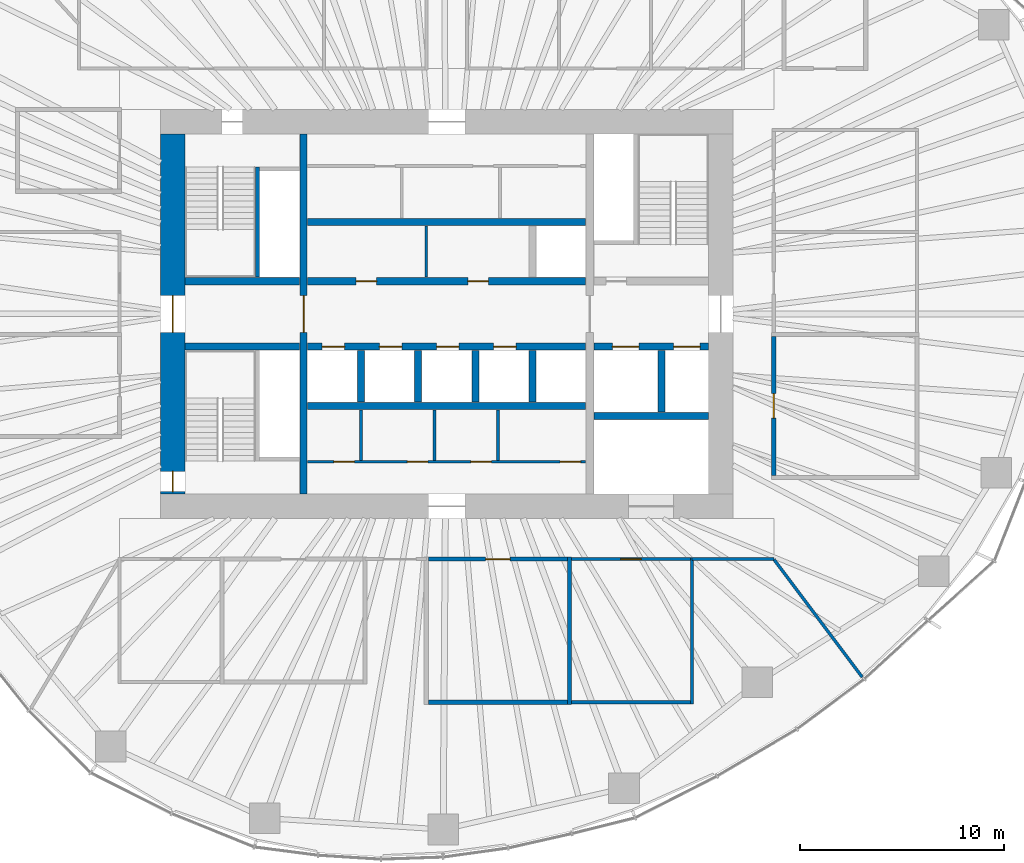
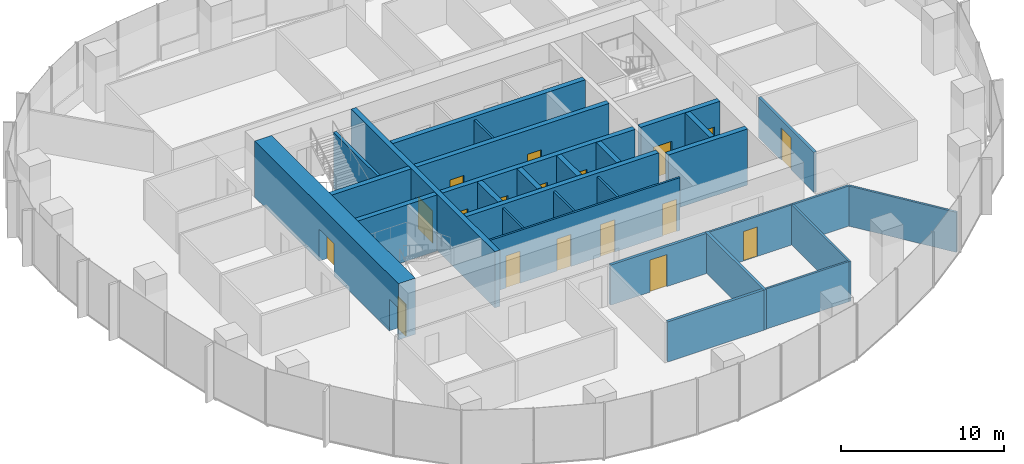
# One storey, part 9 of 18: 30 walls, 18 doors, 18 openings.
"""IFC4 building model written with IfcOpenShell, lengths in metres."""

from ifc_helpers import new_model, si_unit, direction, frame, frame_2d, origin, place, context, subcontext, project, spatial, rectangle, extrude, material, layer, layer_set, type_object, element, fill, save


model = new_model("IFC4")

# Units and contexts
model_context = context("Model", 3, precision=1e-05, world=origin(), true_north=direction((0.0, 1.0)))
body_context = subcontext(model_context, "Body", "Model", "MODEL_VIEW")
ifc_project = project(units=[si_unit("LENGTHUNIT", "METRE"), si_unit("AREAUNIT", "SQUARE_METRE"), si_unit("VOLUMEUNIT", "CUBIC_METRE"), si_unit("PLANEANGLEUNIT", "RADIAN"), si_unit("MASSUNIT", "GRAM", prefix="KILO")], contexts=[model_context])

# Site, building, storey
site_placement = place(None, origin())
site = spatial("IfcSite", under=ifc_project, at=site_placement, CompositionType="ELEMENT")
building_placement = place(site_placement, origin())
building = spatial("IfcBuilding", under=site, at=building_placement, Name="Ghaith Harvest Tower", CompositionType="ELEMENT")
storey_placement = place(building_placement, frame((0.0, 0.0, 121.800048828125)))
storey = spatial("IfcBuildingStorey", under=building, at=storey_placement, Name="L25", CompositionType="ELEMENT", Elevation=121.800048828125)

# Wall
ifc_material_1 = material(Name="Twin-stud gypsum board, acoustic", Category="gypsum")
ifc_layer_1 = layer(ifc_material_1, 0.199951171875)
ifc_layer_set_1 = layer_set([ifc_layer_1], Name="ACOUSTIC PARTITION 200")
wall_type_1 = type_object("IfcWallType", Name="ACOUSTIC PARTITION 200", PredefinedType="PARTITIONING", material=ifc_layer_set_1)
wall_1_placement = place(storey_placement, frame((6.0, -11.89990234375, 0.0), z_axis=(0.0, 0.0, 1.0), x_axis=(0.0, -1.0, 0.0)))
element("IfcWall", 1, at=wall_1_placement, inside=storey, type_object=wall_type_1, Name="Partition L25 row S4 cross wall 2", PredefinedType="PARTITIONING", context=body_context, shape_type="SweptSolid", body=[
    extrude(rectangle(XDim=7.2001953125, YDim=0.199951171875, at=frame_2d((3.60009765625, 0.0))), origin(), (0.0, 0.0, 1.0), 3.0),
])

# Wall, opening, door
wall_2_placement = place(storey_placement, frame((-0.89990234375, -12.0, 0.0), z_axis=(0.0, 0.0, 1.0), x_axis=(1.0, 0.0, 0.0)))
wall_2 = element("IfcWall", 2, at=wall_2_placement, inside=storey, type_object=wall_type_1, Name="Partition L25-08", PredefinedType="PARTITIONING", context=body_context, shape_type="SweptSolid", body=[
    extrude(rectangle(XDim=6.7998046875, YDim=0.199951171875, at=frame_2d((3.39990234375, 0.0))), origin(), (0.0, 0.0, 1.0), 3.0),
])
opening_1_placement = place(wall_2_placement, frame((2.800048828125, 0.0, 0.0)))
opening_1 = element("IfcOpeningElement", 3, at=opening_1_placement, cuts=wall_2, Name="Opening 25-033", PredefinedType="OPENING", context=body_context, shape_type="SweptSolid", body=[
    extrude(rectangle(XDim=1.199951171875, YDim=2.39990234375, at=frame_2d((0.60009765625, 1.199951171875))), frame((0.0, 0.10986328125, 0.0), z_axis=(0.0, -1.0, 0.0), x_axis=(1.0, 0.0, 0.0)), (0.0, 0.0, 1.0), 0.219970703125),
])
ifc_material_2 = material(Name="Timber door", Category="wood")
door_type_1 = type_object("IfcDoorType", Name="D11 GLAZED 1200x2400", OperationType="SINGLE_SWING_LEFT", PredefinedType="DOOR", material=ifc_material_2)
door_1_placement = place(opening_1_placement, origin())
door_1 = element("IfcDoor", 4, at=door_1_placement, inside=storey, type_object=door_type_1, Name="Meeting room door", OperationType="SINGLE_SWING_LEFT", OverallHeight=2.39990234375, OverallWidth=1.199951171875, PredefinedType="DOOR", context=body_context, shape_type="SweptSolid", body=[
    extrude(rectangle(XDim=1.199951171875, YDim=2.39990234375, at=frame_2d((0.60009765625, 1.199951171875))), frame((0.0, 0.02490234375, 0.0), z_axis=(0.0, -1.0, 0.0), x_axis=(1.0, 0.0, 0.0)), (0.0, 0.0, 1.0), 0.050048828125),
])
fill(opening_1, door_1)

# Wall
wall_3_placement = place(storey_placement, frame((-0.89990234375, -19.0, 0.0), z_axis=(0.0, 0.0, 1.0), x_axis=(1.0, 0.0, 0.0)))
element("IfcWall", 5, at=wall_3_placement, inside=storey, type_object=wall_type_1, Name="Partition L25-08", PredefinedType="PARTITIONING", context=body_context, shape_type="SweptSolid", body=[
    extrude(rectangle(XDim=6.7998046875, YDim=0.199951171875, at=frame_2d((3.39990234375, 0.0))), origin(), (0.0, 0.0, 1.0), 3.0),
])

# Wall, opening, door
wall_4_placement = place(storey_placement, frame((16.0, -7.89990234375, 0.0), z_axis=(0.0, 0.0, 1.0), x_axis=(0.0, 1.0, 0.0)))
wall_4 = element("IfcWall", 6, at=wall_4_placement, inside=storey, type_object=wall_type_1, Name="Partition L25-10", PredefinedType="PARTITIONING", context=body_context, shape_type="SweptSolid", body=[
    extrude(rectangle(XDim=6.7998046875, YDim=0.199951171875, at=frame_2d((3.39990234375, 0.0))), origin(), (0.0, 0.0, 1.0), 3.0),
])
opening_2_placement = place(wall_4_placement, frame((2.800048828125, 0.0, 0.0)))
opening_2 = element("IfcOpeningElement", 7, at=opening_2_placement, cuts=wall_4, Name="Opening 25-035", PredefinedType="OPENING", context=body_context, shape_type="SweptSolid", body=[
    extrude(rectangle(XDim=1.199951171875, YDim=2.39990234375, at=frame_2d((0.60009765625, 1.199951171875))), frame((0.0, 0.10986328125, 0.0), z_axis=(0.0, -1.0, 0.0), x_axis=(1.0, 0.0, 0.0)), (0.0, 0.0, 1.0), 0.219970703125),
])
door_2_placement = place(opening_2_placement, origin())
door_2 = element("IfcDoor", 8, at=door_2_placement, inside=storey, type_object=door_type_1, Name="Meeting room door", OperationType="SINGLE_SWING_LEFT", OverallHeight=2.39990234375, OverallWidth=1.199951171875, PredefinedType="DOOR", context=body_context, shape_type="SweptSolid", body=[
    extrude(rectangle(XDim=1.199951171875, YDim=2.39990234375, at=frame_2d((0.60009765625, 1.199951171875))), frame((0.0, 0.02490234375, 0.0), z_axis=(0.0, -1.0, 0.0), x_axis=(1.0, 0.0, 0.0)), (0.0, 0.0, 1.0), 0.050048828125),
])
fill(opening_2, door_2)

# Wall, openings, doors
ifc_material_3 = material(Name="Concrete blockwork, fair-faced", Category="masonry")
ifc_layer_2 = layer(ifc_material_3, 0.139892578125)
ifc_layer_set_2 = layer_set([ifc_layer_2], Name="CORE PARTITION 140")
wall_type_2 = type_object("IfcWallType", Name="CORE PARTITION 140", PredefinedType="PARTITIONING", material=ifc_layer_set_2)
wall_5_placement = place(storey_placement, frame((-6.800048828125, -7.22998046875, 0.0), z_axis=(0.0, 0.0, 1.0), x_axis=(1.0, 0.0, 0.0)))
wall_5 = element("IfcWall", 9, at=wall_5_placement, inside=storey, type_object=wall_type_2, Name="Core partition L25", PredefinedType="PARTITIONING", context=body_context, shape_type="SweptSolid", body=[
    extrude(rectangle(XDim=13.60009765625, YDim=0.139892578125, at=frame_2d((6.800048828125, 0.0))), origin(), (0.0, 0.0, 1.0), 3.949951171875),
])
opening_3_placement = place(wall_5_placement, frame((1.280029296875, 0.0, 0.0)))
opening_3 = element("IfcOpeningElement", 10, at=opening_3_placement, cuts=wall_5, Name="Opening 25-011", PredefinedType="OPENING", context=body_context, shape_type="SweptSolid", body=[
    extrude(rectangle(XDim=1.0, YDim=2.39990234375, at=frame_2d((0.5, 1.199951171875))), frame((0.0, 0.080078125, 0.0), z_axis=(0.0, -1.0, 0.0), x_axis=(1.0, 0.0, 0.0)), (0.0, 0.0, 1.0), 0.159912109375),
])
opening_4_placement = place(wall_5_placement, frame((4.8798828125, 0.0, 0.0)))
opening_4 = element("IfcOpeningElement", 11, at=opening_4_placement, cuts=wall_5, Name="Opening 25-012", PredefinedType="OPENING", context=body_context, shape_type="SweptSolid", body=[
    extrude(rectangle(XDim=1.0, YDim=2.39990234375, at=frame_2d((0.5, 1.199951171875))), frame((0.0, 0.080078125, 0.0), z_axis=(0.0, -1.0, 0.0), x_axis=(1.0, 0.0, 0.0)), (0.0, 0.0, 1.0), 0.159912109375),
])
opening_5_placement = place(wall_5_placement, frame((7.97998046875, 0.0, 0.0)))
opening_5 = element("IfcOpeningElement", 12, at=opening_5_placement, cuts=wall_5, Name="Opening 25-013", PredefinedType="OPENING", context=body_context, shape_type="SweptSolid", body=[
    extrude(rectangle(XDim=1.0, YDim=2.39990234375, at=frame_2d((0.5, 1.199951171875))), frame((0.0, 0.080078125, 0.0), z_axis=(0.0, -1.0, 0.0), x_axis=(1.0, 0.0, 0.0)), (0.0, 0.0, 1.0), 0.159912109375),
])
opening_6_placement = place(wall_5_placement, frame((12.35009765625, 0.0, 0.0)))
opening_6 = element("IfcOpeningElement", 13, at=opening_6_placement, cuts=wall_5, Name="Opening 25-014", PredefinedType="OPENING", context=body_context, shape_type="SweptSolid", body=[
    extrude(rectangle(XDim=1.0, YDim=2.39990234375, at=frame_2d((0.5, 1.199951171875))), frame((0.0, 0.080078125, 0.0), z_axis=(0.0, -1.0, 0.0), x_axis=(1.0, 0.0, 0.0)), (0.0, 0.0, 1.0), 0.159912109375),
])
ifc_material_4 = material(Name="Steel fire door", Category="steel")
door_type_2 = type_object("IfcDoorType", Name="D3 FD90 1000x2400", OperationType="SINGLE_SWING_LEFT", PredefinedType="DOOR", material=ifc_material_4)
door_3_placement = place(opening_3_placement, origin())
door_3 = element("IfcDoor", 14, at=door_3_placement, inside=storey, type_object=door_type_2, Name="Security room door", OperationType="SINGLE_SWING_LEFT", OverallHeight=2.39990234375, OverallWidth=1.0, PredefinedType="DOOR", context=body_context, shape_type="SweptSolid", body=[
    extrude(rectangle(XDim=1.0, YDim=2.39990234375, at=frame_2d((0.5, 1.199951171875))), frame((0.0, 0.02490234375, 0.0), z_axis=(0.0, -1.0, 0.0), x_axis=(1.0, 0.0, 0.0)), (0.0, 0.0, 1.0), 0.050048828125),
])
fill(opening_3, door_3)
door_4_placement = place(opening_4_placement, origin())
door_4 = element("IfcDoor", 15, at=door_4_placement, inside=storey, type_object=door_type_2, Name="Electrical room door", OperationType="SINGLE_SWING_LEFT", OverallHeight=2.39990234375, OverallWidth=1.0, PredefinedType="DOOR", context=body_context, shape_type="SweptSolid", body=[
    extrude(rectangle(XDim=1.0, YDim=2.39990234375, at=frame_2d((0.5, 1.199951171875))), frame((0.0, 0.02490234375, 0.0), z_axis=(0.0, -1.0, 0.0), x_axis=(1.0, 0.0, 0.0)), (0.0, 0.0, 1.0), 0.050048828125),
])
fill(opening_4, door_4)
door_5_placement = place(opening_5_placement, origin())
door_5 = element("IfcDoor", 16, at=door_5_placement, inside=storey, type_object=door_type_2, Name="Communications equipment room door", OperationType="SINGLE_SWING_RIGHT", OverallHeight=2.39990234375, OverallWidth=1.0, PredefinedType="DOOR", context=body_context, shape_type="SweptSolid", body=[
    extrude(rectangle(XDim=1.0, YDim=2.39990234375, at=frame_2d((0.5, 1.199951171875))), frame((0.0, 0.02490234375, 0.0), z_axis=(0.0, -1.0, 0.0), x_axis=(1.0, 0.0, 0.0)), (0.0, 0.0, 1.0), 0.050048828125),
])
fill(opening_5, door_5)
door_6_placement = place(opening_6_placement, origin())
door_6 = element("IfcDoor", 17, at=door_6_placement, inside=storey, type_object=door_type_2, Name="Riser room door", OperationType="SINGLE_SWING_RIGHT", OverallHeight=2.39990234375, OverallWidth=1.0, PredefinedType="DOOR", context=body_context, shape_type="SweptSolid", body=[
    extrude(rectangle(XDim=1.0, YDim=2.39990234375, at=frame_2d((0.5, 1.199951171875))), frame((0.0, 0.02490234375, 0.0), z_axis=(0.0, -1.0, 0.0), x_axis=(1.0, 0.0, 0.0)), (0.0, 0.0, 1.0), 0.050048828125),
])
fill(opening_6, door_6)

# Walls
for number, where, z_axis, x_axis, name in (
    (18, (-4.199951171875, -4.699951171875, 0.0), (0.0, 0.0, 1.0), (0.0, -1.0, 0.0), "Core partition L25"),
    (19, (-0.60009765625, -4.699951171875, 0.0), (0.0, 0.0, 1.0), (0.0, -1.0, 0.0), "Core partition L25"),
    (20, (2.5, -4.699951171875, 0.0), (0.0, 0.0, 1.0), (0.0, -1.0, 0.0), "Core partition L25"),
):
    element("IfcWall", number, at=place(storey_placement, frame(where, z_axis=z_axis, x_axis=x_axis)), inside=storey, type_object=wall_type_2, Name=name, PredefinedType="PARTITIONING", context=body_context, shape_type="SweptSolid", body=[
        extrude(rectangle(XDim=2.4599609375, YDim=0.139892578125, at=frame_2d((1.22998046875, 0.0))), origin(), (0.0, 0.0, 1.0), 3.949951171875),
    ])
wall_6_placement = place(storey_placement, frame((-1.0, 1.800048828125, 0.0), z_axis=(0.0, 0.0, 1.0), x_axis=(0.0, 1.0, 0.0)))
element("IfcWall", 21, at=wall_6_placement, inside=storey, type_object=wall_type_2, Name="Core partition L25", PredefinedType="PARTITIONING", context=body_context, shape_type="SweptSolid", body=[
    extrude(rectangle(XDim=2.5, YDim=0.139892578125, at=frame_2d((1.25, 0.0))), origin(), (0.0, 0.0, 1.0), 3.949951171875),
])

# Wall, openings, doors
ifc_material_5 = material(Name="Concrete C60/75", Category="concrete")
ifc_layer_3 = layer(ifc_material_5, 1.199951171875)
ifc_layer_set_3 = layer_set([ifc_layer_3], Name="CORE WALL CW1200 C60")
wall_type_3 = type_object("IfcWallType", Name="CORE WALL CW1200 C60", PredefinedType="SHEAR", material=ifc_layer_set_3)
wall_7_placement = place(storey_placement, frame((-13.39990234375, 8.800048828125, 0.0), z_axis=(0.0, 0.0, 1.0), x_axis=(0.0, -1.0, 0.0)))
wall_7 = element("IfcWall", 22, at=wall_7_placement, inside=storey, type_object=wall_type_3, Name="Core wall W L25", PredefinedType="SHEAR", context=body_context, shape_type="SweptSolid", body=[
    extrude(rectangle(XDim=17.60009765625, YDim=1.199951171875, at=frame_2d((8.800048828125, 0.0))), origin(), (0.0, 0.0, 1.0), 4.199951171875),
])
opening_7_placement = place(wall_7_placement, frame((7.89990234375, 0.0, 0.0)))
opening_7 = element("IfcOpeningElement", 23, at=opening_7_placement, cuts=wall_7, Name="Opening 25-001", PredefinedType="OPENING", context=body_context, shape_type="SweptSolid", body=[
    extrude(rectangle(XDim=1.800048828125, YDim=2.39990234375, at=frame_2d((0.89990234375, 1.199951171875))), frame((0.0, 0.60986328125, 0.0), z_axis=(0.0, -1.0, 0.0), x_axis=(1.0, 0.0, 0.0)), (0.0, 0.0, 1.0), 1.219970703125),
])
opening_8_placement = place(wall_7_placement, frame((16.5, 0.0, 0.0)))
opening_8 = element("IfcOpeningElement", 24, at=opening_8_placement, cuts=wall_7, Name="Opening 25-006", PredefinedType="OPENING", context=body_context, shape_type="SweptSolid", body=[
    extrude(rectangle(XDim=1.0, YDim=2.39990234375, at=frame_2d((0.5, 1.199951171875))), frame((0.0, 0.60986328125, 0.0), z_axis=(0.0, -1.0, 0.0), x_axis=(1.0, 0.0, 0.0)), (0.0, 0.0, 1.0), 1.219970703125),
])
door_7_placement = place(opening_8_placement, origin())
door_7 = element("IfcDoor", 25, at=door_7_placement, inside=storey, type_object=door_type_2, Name="Stair ST3 door", OperationType="SINGLE_SWING_RIGHT", OverallHeight=2.39990234375, OverallWidth=1.0, PredefinedType="DOOR", context=body_context, shape_type="SweptSolid", body=[
    extrude(rectangle(XDim=1.0, YDim=2.39990234375, at=frame_2d((0.5, 1.199951171875))), frame((0.0, 0.02490234375, 0.0), z_axis=(0.0, -1.0, 0.0), x_axis=(1.0, 0.0, 0.0)), (0.0, 0.0, 1.0), 0.050048828125),
])
fill(opening_8, door_7)
ifc_material_6 = material(Name="Steel fire door", Category="steel")
door_type_3 = type_object("IfcDoorType", Name="D4 FD90 PAIR 1800x2400", OperationType="DOUBLE_DOOR_SINGLE_SWING", PredefinedType="DOOR", material=ifc_material_6)
door_8_placement = place(opening_7_placement, origin())
door_8 = element("IfcDoor", 26, at=door_8_placement, inside=storey, type_object=door_type_3, Name="West lobby doors", OperationType="DOUBLE_DOOR_SINGLE_SWING", OverallHeight=2.39990234375, OverallWidth=1.800048828125, PredefinedType="DOOR", context=body_context, shape_type="SweptSolid", body=[
    extrude(rectangle(XDim=1.800048828125, YDim=2.39990234375, at=frame_2d((0.89990234375, 1.199951171875))), frame((0.0, 0.02490234375, 0.0), z_axis=(0.0, -1.0, 0.0), x_axis=(1.0, 0.0, 0.0)), (0.0, 0.0, 1.0), 0.050048828125),
])
fill(opening_7, door_8)

# Wall
ifc_material_7 = material(Name="Gypsum board on steel studs", Category="steel")
ifc_layer_4 = layer(ifc_material_7, 0.14990234375)
ifc_layer_set_4 = layer_set([ifc_layer_4], Name="PARTITION 150")
wall_type_4 = type_object("IfcWallType", Name="PARTITION 150", PredefinedType="PARTITIONING", material=ifc_layer_set_4)
wall_8_placement = place(storey_placement, frame((12.0, -11.925048828125, 0.0), z_axis=(0.0, 0.0, 1.0), x_axis=(0.0, -1.0, 0.0)))
element("IfcWall", 27, at=wall_8_placement, inside=storey, type_object=wall_type_4, Name="Partition L25 row S4 cross wall 3", PredefinedType="PARTITIONING", context=body_context, shape_type="SweptSolid", body=[
    extrude(rectangle(XDim=7.14990234375, YDim=0.14990234375, at=frame_2d((3.574951171875, 0.0))), origin(), (0.0, 0.0, 1.0), 3.0),
])

# Wall, opening, door
wall_9_placement = place(storey_placement, frame((6.10009765625, -12.0, 0.0), z_axis=(0.0, 0.0, 1.0), x_axis=(1.0, 0.0, 0.0)))
wall_9 = element("IfcWall", 28, at=wall_9_placement, inside=storey, type_object=wall_type_4, Name="Partition L25-09", PredefinedType="PARTITIONING", context=body_context, shape_type="SweptSolid", body=[
    extrude(rectangle(XDim=5.824951171875, YDim=0.14990234375, at=frame_2d((2.91259765625, 0.0))), origin(), (0.0, 0.0, 1.0), 3.0),
])
opening_9_placement = place(wall_9_placement, frame((2.41259765625, 0.0, 0.0)))
opening_9 = element("IfcOpeningElement", 29, at=opening_9_placement, cuts=wall_9, Name="Opening 25-034", PredefinedType="OPENING", context=body_context, shape_type="SweptSolid", body=[
    extrude(rectangle(XDim=1.0, YDim=2.199951171875, at=frame_2d((0.5, 1.10009765625))), frame((0.0, 0.0849609375, 0.0), z_axis=(0.0, -1.0, 0.0), x_axis=(1.0, 0.0, 0.0)), (0.0, 0.0, 1.0), 0.169921875),
])
ifc_material_8 = material(Name="Timber door", Category="wood")
door_type_4 = type_object("IfcDoorType", Name="D1 SINGLE 1000x2200", OperationType="SINGLE_SWING_LEFT", PredefinedType="DOOR", material=ifc_material_8)
door_9_placement = place(opening_9_placement, origin())
door_9 = element("IfcDoor", 30, at=door_9_placement, inside=storey, type_object=door_type_4, Name="Pantry door", OperationType="SINGLE_SWING_LEFT", OverallHeight=2.199951171875, OverallWidth=1.0, PredefinedType="DOOR", context=body_context, shape_type="SweptSolid", body=[
    extrude(rectangle(XDim=1.0, YDim=2.199951171875, at=frame_2d((0.5, 1.10009765625))), frame((0.0, 0.02490234375, 0.0), z_axis=(0.0, -1.0, 0.0), x_axis=(1.0, 0.0, 0.0)), (0.0, 0.0, 1.0), 0.050048828125),
])
fill(opening_9, door_9)

# Walls
wall_10_placement = place(storey_placement, frame((6.10009765625, -19.0, 0.0), z_axis=(0.0, 0.0, 1.0), x_axis=(1.0, 0.0, 0.0)))
element("IfcWall", 31, at=wall_10_placement, inside=storey, type_object=wall_type_4, Name="Partition L25-09", PredefinedType="PARTITIONING", context=body_context, shape_type="SweptSolid", body=[
    extrude(rectangle(XDim=5.824951171875, YDim=0.14990234375, at=frame_2d((2.91259765625, 0.0))), origin(), (0.0, 0.0, 1.0), 3.0),
])
wall_11_placement = place(storey_placement, frame((16.011962890625, -12.01611328125, 0.0), z_axis=(0.0, 0.0, 1.0), x_axis=(0.600059749679, -0.799955184254, 0.0)))
element("IfcWall", 32, at=wall_11_placement, inside=storey, type_object=wall_type_4, Name="Partition L25 zone division", PredefinedType="PARTITIONING", context=body_context, shape_type="SweptSolid", body=[
    extrude(rectangle(XDim=7.191162109375, YDim=0.14990234375, at=frame_2d((3.595703125, 0.0))), origin(), (0.0, 0.0, 1.0), 3.0),
])
wall_12_placement = place(storey_placement, frame((12.0, -12.0, 0.0), z_axis=(0.0, 0.0, 1.0), x_axis=(1.0, 0.0, 0.0)))
element("IfcWall", 33, at=wall_12_placement, inside=storey, type_object=wall_type_4, Name="Partition L25 zone enclosure", PredefinedType="PARTITIONING", context=body_context, shape_type="SweptSolid", body=[
    extrude(rectangle(XDim=4.0, YDim=0.14990234375, at=frame_2d((2.0, 0.0))), origin(), (0.0, 0.0, 1.0), 3.0),
])

# Wall, opening, door
ifc_material_9 = material(Name="Concrete C60/75", Category="concrete")
ifc_layer_5 = layer(ifc_material_9, 0.35009765625)
ifc_layer_set_5 = layer_set([ifc_layer_5], Name="SHAFT WALL 350")
wall_type_5 = type_object("IfcWallType", Name="SHAFT WALL 350", PredefinedType="SHEAR", material=ifc_layer_set_5)
wall_13_placement = place(storey_placement, frame((-7.0, -8.800048828125, 0.0), z_axis=(0.0, 0.0, 1.0), x_axis=(0.0, 1.0, 0.0)))
wall_13 = element("IfcWall", 34, at=wall_13_placement, inside=storey, type_object=wall_type_5, Name="Shaft wall W7W L25", PredefinedType="SHEAR", context=body_context, shape_type="SweptSolid", body=[
    extrude(rectangle(XDim=17.60009765625, YDim=0.35009765625, at=frame_2d((8.800048828125, 0.0))), origin(), (0.0, 0.0, 1.0), 4.199951171875),
])
opening_10_placement = place(wall_13_placement, frame((7.89990234375, 0.0, 0.0)))
opening_10 = element("IfcOpeningElement", 35, at=opening_10_placement, cuts=wall_13, Name="Opening 25-003", PredefinedType="OPENING", context=body_context, shape_type="SweptSolid", body=[
    extrude(rectangle(XDim=1.800048828125, YDim=2.39990234375, at=frame_2d((0.89990234375, 1.199951171875))), frame((0.0, 0.18505859375, 0.0), z_axis=(0.0, -1.0, 0.0), x_axis=(1.0, 0.0, 0.0)), (0.0, 0.0, 1.0), 0.3701171875),
])
door_10_placement = place(opening_10_placement, origin())
door_10 = element("IfcDoor", 36, at=door_10_placement, inside=storey, type_object=door_type_3, Name="Lift lobby doors, west", OperationType="DOUBLE_DOOR_SINGLE_SWING", OverallHeight=2.39990234375, OverallWidth=1.800048828125, PredefinedType="DOOR", context=body_context, shape_type="SweptSolid", body=[
    extrude(rectangle(XDim=1.800048828125, YDim=2.39990234375, at=frame_2d((0.89990234375, 1.199951171875))), frame((0.0, 0.02490234375, 0.0), z_axis=(0.0, -1.0, 0.0), x_axis=(1.0, 0.0, 0.0)), (0.0, 0.0, 1.0), 0.050048828125),
])
fill(opening_10, door_10)

# Wall, openings, doors
wall_14_placement = place(storey_placement, frame((-6.800048828125, 1.60009765625, 0.0), z_axis=(0.0, 0.0, 1.0), x_axis=(1.0, 0.0, 0.0)))
wall_14 = element("IfcWall", 37, at=wall_14_placement, inside=storey, type_object=wall_type_5, Name="Shaft wall LN L25", PredefinedType="SHEAR", context=body_context, shape_type="SweptSolid", body=[
    extrude(rectangle(XDim=13.60009765625, YDim=0.35009765625, at=frame_2d((6.800048828125, 0.0))), origin(), (0.0, 0.0, 1.0), 4.199951171875),
])
opening_11_placement = place(wall_14_placement, frame((2.364990234375, 0.0, 0.0)))
opening_11 = element("IfcOpeningElement", 38, at=opening_11_placement, cuts=wall_14, Name="Opening 25-015", PredefinedType="OPENING", context=body_context, shape_type="SweptSolid", body=[
    extrude(rectangle(XDim=1.0, YDim=2.39990234375, at=frame_2d((0.5, 1.199951171875))), frame((0.0, 0.18505859375, 0.0), z_axis=(0.0, -1.0, 0.0), x_axis=(1.0, 0.0, 0.0)), (0.0, 0.0, 1.0), 0.3701171875),
])
opening_12_placement = place(wall_14_placement, frame((7.8349609375, 0.0, 0.0)))
opening_12 = element("IfcOpeningElement", 39, at=opening_12_placement, cuts=wall_14, Name="Opening 25-016", PredefinedType="OPENING", context=body_context, shape_type="SweptSolid", body=[
    extrude(rectangle(XDim=1.0, YDim=2.39990234375, at=frame_2d((0.5, 1.199951171875))), frame((0.0, 0.18505859375, 0.0), z_axis=(0.0, -1.0, 0.0), x_axis=(1.0, 0.0, 0.0)), (0.0, 0.0, 1.0), 0.3701171875),
])
door_11_placement = place(opening_11_placement, origin())
door_11 = element("IfcDoor", 40, at=door_11_placement, inside=storey, type_object=door_type_2, Name="First aid room door", OperationType="SINGLE_SWING_LEFT", OverallHeight=2.39990234375, OverallWidth=1.0, PredefinedType="DOOR", context=body_context, shape_type="SweptSolid", body=[
    extrude(rectangle(XDim=1.0, YDim=2.39990234375, at=frame_2d((0.5, 1.199951171875))), frame((0.0, 0.02490234375, 0.0), z_axis=(0.0, -1.0, 0.0), x_axis=(1.0, 0.0, 0.0)), (0.0, 0.0, 1.0), 0.050048828125),
])
fill(opening_11, door_11)
door_12_placement = place(opening_12_placement, origin())
door_12 = element("IfcDoor", 41, at=door_12_placement, inside=storey, type_object=door_type_2, Name="Tea point door", OperationType="SINGLE_SWING_RIGHT", OverallHeight=2.39990234375, OverallWidth=1.0, PredefinedType="DOOR", context=body_context, shape_type="SweptSolid", body=[
    extrude(rectangle(XDim=1.0, YDim=2.39990234375, at=frame_2d((0.5, 1.199951171875))), frame((0.0, 0.02490234375, 0.0), z_axis=(0.0, -1.0, 0.0), x_axis=(1.0, 0.0, 0.0)), (0.0, 0.0, 1.0), 0.050048828125),
])
fill(opening_12, door_12)

wall_15_placement = place(storey_placement, frame((-6.800048828125, -1.60009765625, 0.0), z_axis=(0.0, 0.0, 1.0), x_axis=(1.0, 0.0, 0.0)))
wall_15 = element("IfcWall", 42, at=wall_15_placement, inside=storey, type_object=wall_type_5, Name="Shaft wall LS L25", PredefinedType="SHEAR", context=body_context, shape_type="SweptSolid", body=[
    extrude(rectangle(XDim=13.60009765625, YDim=0.35009765625, at=frame_2d((6.800048828125, 0.0))), origin(), (0.0, 0.0, 1.0), 4.199951171875),
])
opening_13_placement = place(wall_15_placement, frame((0.699951171875, 0.0, 0.0)))
opening_13 = element("IfcOpeningElement", 43, at=opening_13_placement, cuts=wall_15, Name="Opening 25-019", PredefinedType="OPENING", context=body_context, shape_type="SweptSolid", body=[
    extrude(rectangle(XDim=1.10009765625, YDim=2.39990234375, at=frame_2d((0.550048828125, 1.199951171875))), frame((0.0, 0.18505859375, 0.0), z_axis=(0.0, -1.0, 0.0), x_axis=(1.0, 0.0, 0.0)), (0.0, 0.0, 1.0), 0.3701171875),
])
opening_14_placement = place(wall_15_placement, frame((3.5, 0.0, 0.0)))
opening_14 = element("IfcOpeningElement", 44, at=opening_14_placement, cuts=wall_15, Name="Opening 25-020", PredefinedType="OPENING", context=body_context, shape_type="SweptSolid", body=[
    extrude(rectangle(XDim=1.10009765625, YDim=2.39990234375, at=frame_2d((0.550048828125, 1.199951171875))), frame((0.0, 0.18505859375, 0.0), z_axis=(0.0, -1.0, 0.0), x_axis=(1.0, 0.0, 0.0)), (0.0, 0.0, 1.0), 0.3701171875),
])
opening_15_placement = place(wall_15_placement, frame((6.300048828125, 0.0, 0.0)))
opening_15 = element("IfcOpeningElement", 45, at=opening_15_placement, cuts=wall_15, Name="Opening 25-021", PredefinedType="OPENING", context=body_context, shape_type="SweptSolid", body=[
    extrude(rectangle(XDim=1.10009765625, YDim=2.39990234375, at=frame_2d((0.550048828125, 1.199951171875))), frame((0.0, 0.18505859375, 0.0), z_axis=(0.0, -1.0, 0.0), x_axis=(1.0, 0.0, 0.0)), (0.0, 0.0, 1.0), 0.3701171875),
])
opening_16_placement = place(wall_15_placement, frame((9.10009765625, 0.0, 0.0)))
opening_16 = element("IfcOpeningElement", 46, at=opening_16_placement, cuts=wall_15, Name="Opening 25-022", PredefinedType="OPENING", context=body_context, shape_type="SweptSolid", body=[
    extrude(rectangle(XDim=1.10009765625, YDim=2.39990234375, at=frame_2d((0.550048828125, 1.199951171875))), frame((0.0, 0.18505859375, 0.0), z_axis=(0.0, -1.0, 0.0), x_axis=(1.0, 0.0, 0.0)), (0.0, 0.0, 1.0), 0.3701171875),
])
ifc_material_10 = material(Name="Steel fire door", Category="steel")
door_type_5 = type_object("IfcDoorType", Name="LD1 LANDING 1100x2400", OperationType="DOUBLE_DOOR_SLIDING", PredefinedType="DOOR", material=ifc_material_10)
door_13_placement = place(opening_13_placement, origin())
door_13 = element("IfcDoor", 47, at=door_13_placement, inside=storey, type_object=door_type_5, Name="Landing door, lift LR1", OperationType="DOUBLE_DOOR_SLIDING", OverallHeight=2.39990234375, OverallWidth=1.10009765625, PredefinedType="DOOR", context=body_context, shape_type="SweptSolid", body=[
    extrude(rectangle(XDim=1.10009765625, YDim=2.39990234375, at=frame_2d((0.550048828125, 1.199951171875))), frame((0.0, 0.02490234375, 0.0), z_axis=(0.0, -1.0, 0.0), x_axis=(1.0, 0.0, 0.0)), (0.0, 0.0, 1.0), 0.050048828125),
])
fill(opening_13, door_13)
door_14_placement = place(opening_14_placement, origin())
door_14 = element("IfcDoor", 48, at=door_14_placement, inside=storey, type_object=door_type_5, Name="Landing door, lift LR2", OperationType="DOUBLE_DOOR_SLIDING", OverallHeight=2.39990234375, OverallWidth=1.10009765625, PredefinedType="DOOR", context=body_context, shape_type="SweptSolid", body=[
    extrude(rectangle(XDim=1.10009765625, YDim=2.39990234375, at=frame_2d((0.550048828125, 1.199951171875))), frame((0.0, 0.02490234375, 0.0), z_axis=(0.0, -1.0, 0.0), x_axis=(1.0, 0.0, 0.0)), (0.0, 0.0, 1.0), 0.050048828125),
])
fill(opening_14, door_14)
door_15_placement = place(opening_15_placement, origin())
door_15 = element("IfcDoor", 49, at=door_15_placement, inside=storey, type_object=door_type_5, Name="Landing door, lift LR3", OperationType="DOUBLE_DOOR_SLIDING", OverallHeight=2.39990234375, OverallWidth=1.10009765625, PredefinedType="DOOR", context=body_context, shape_type="SweptSolid", body=[
    extrude(rectangle(XDim=1.10009765625, YDim=2.39990234375, at=frame_2d((0.550048828125, 1.199951171875))), frame((0.0, 0.02490234375, 0.0), z_axis=(0.0, -1.0, 0.0), x_axis=(1.0, 0.0, 0.0)), (0.0, 0.0, 1.0), 0.050048828125),
])
fill(opening_15, door_15)
door_16_placement = place(opening_16_placement, origin())
door_16 = element("IfcDoor", 50, at=door_16_placement, inside=storey, type_object=door_type_5, Name="Landing door, lift LR4", OperationType="DOUBLE_DOOR_SLIDING", OverallHeight=2.39990234375, OverallWidth=1.10009765625, PredefinedType="DOOR", context=body_context, shape_type="SweptSolid", body=[
    extrude(rectangle(XDim=1.10009765625, YDim=2.39990234375, at=frame_2d((0.550048828125, 1.199951171875))), frame((0.0, 0.02490234375, 0.0), z_axis=(0.0, -1.0, 0.0), x_axis=(1.0, 0.0, 0.0)), (0.0, 0.0, 1.0), 0.050048828125),
])
fill(opening_16, door_16)

# Walls
for number, where, z_axis, x_axis, name in (
    (51, (-6.800048828125, 4.5, 0.0), (0.0, 0.0, 1.0), (1.0, 0.0, 0.0), "Shaft wall BN L25"),
    (52, (-6.800048828125, -4.5, 0.0), (0.0, 0.0, 1.0), (1.0, 0.0, 0.0), "Shaft wall BS L25"),
):
    element("IfcWall", number, at=place(storey_placement, frame(where, z_axis=z_axis, x_axis=x_axis)), inside=storey, type_object=wall_type_5, Name=name, PredefinedType="SHEAR", context=body_context, shape_type="SweptSolid", body=[
        extrude(rectangle(XDim=13.60009765625, YDim=0.35009765625, at=frame_2d((6.800048828125, 0.0))), origin(), (0.0, 0.0, 1.0), 4.199951171875),
    ])
for number, where, z_axis, x_axis, name in (
    (53, (-12.800048828125, 1.60009765625, 0.0), (0.0, 0.0, 1.0), (1.0, 0.0, 0.0), "Shaft wall WN L25"),
    (54, (-12.800048828125, -1.60009765625, 0.0), (0.0, 0.0, 1.0), (1.0, 0.0, 0.0), "Shaft wall WS L25"),
):
    element("IfcWall", number, at=place(storey_placement, frame(where, z_axis=z_axis, x_axis=x_axis)), inside=storey, type_object=wall_type_5, Name=name, PredefinedType="SHEAR", context=body_context, shape_type="SweptSolid", body=[
        extrude(rectangle(XDim=5.60009765625, YDim=0.35009765625, at=frame_2d((2.800048828125, 0.0))), origin(), (0.0, 0.0, 1.0), 4.199951171875),
    ])

# Wall, openings, doors
wall_16_placement = place(storey_placement, frame((7.199951171875, -1.60009765625, 0.0), z_axis=(0.0, 0.0, 1.0), x_axis=(1.0, 0.0, 0.0)))
wall_16 = element("IfcWall", 55, at=wall_16_placement, inside=storey, type_object=wall_type_5, Name="Shaft wall ES L25", PredefinedType="SHEAR", context=body_context, shape_type="SweptSolid", body=[
    extrude(rectangle(XDim=5.60009765625, YDim=0.35009765625, at=frame_2d((2.800048828125, 0.0))), origin(), (0.0, 0.0, 1.0), 4.199951171875),
])
opening_17_placement = place(wall_16_placement, frame((0.89990234375, 0.0, 0.0)))
opening_17 = element("IfcOpeningElement", 56, at=opening_17_placement, cuts=wall_16, Name="Opening 25-023", PredefinedType="OPENING", context=body_context, shape_type="SweptSolid", body=[
    extrude(rectangle(XDim=1.300048828125, YDim=2.39990234375, at=frame_2d((0.64990234375, 1.199951171875))), frame((0.0, 0.18505859375, 0.0), z_axis=(0.0, -1.0, 0.0), x_axis=(1.0, 0.0, 0.0)), (0.0, 0.0, 1.0), 0.3701171875),
])
opening_18_placement = place(wall_16_placement, frame((3.89990234375, 0.0, 0.0)))
opening_18 = element("IfcOpeningElement", 57, at=opening_18_placement, cuts=wall_16, Name="Opening 25-024", PredefinedType="OPENING", context=body_context, shape_type="SweptSolid", body=[
    extrude(rectangle(XDim=1.300048828125, YDim=2.39990234375, at=frame_2d((0.64990234375, 1.199951171875))), frame((0.0, 0.18505859375, 0.0), z_axis=(0.0, -1.0, 0.0), x_axis=(1.0, 0.0, 0.0)), (0.0, 0.0, 1.0), 0.3701171875),
])
ifc_material_11 = material(Name="Steel fire door", Category="steel")
door_type_6 = type_object("IfcDoorType", Name="LD2 LANDING 1300x2400", OperationType="DOUBLE_DOOR_SLIDING", PredefinedType="DOOR", material=ifc_material_11)
door_17_placement = place(opening_17_placement, origin())
door_17 = element("IfcDoor", 58, at=door_17_placement, inside=storey, type_object=door_type_6, Name="Landing door, fire service lift FL1", OperationType="DOUBLE_DOOR_SLIDING", OverallHeight=2.39990234375, OverallWidth=1.300048828125, PredefinedType="DOOR", context=body_context, shape_type="SweptSolid", body=[
    extrude(rectangle(XDim=1.300048828125, YDim=2.39990234375, at=frame_2d((0.64990234375, 1.199951171875))), frame((0.0, 0.02490234375, 0.0), z_axis=(0.0, -1.0, 0.0), x_axis=(1.0, 0.0, 0.0)), (0.0, 0.0, 1.0), 0.050048828125),
])
fill(opening_17, door_17)
door_18_placement = place(opening_18_placement, origin())
door_18 = element("IfcDoor", 59, at=door_18_placement, inside=storey, type_object=door_type_6, Name="Landing door, fire service lift FL2", OperationType="DOUBLE_DOOR_SLIDING", OverallHeight=2.39990234375, OverallWidth=1.300048828125, PredefinedType="DOOR", context=body_context, shape_type="SweptSolid", body=[
    extrude(rectangle(XDim=1.300048828125, YDim=2.39990234375, at=frame_2d((0.64990234375, 1.199951171875))), frame((0.0, 0.02490234375, 0.0), z_axis=(0.0, -1.0, 0.0), x_axis=(1.0, 0.0, 0.0)), (0.0, 0.0, 1.0), 0.050048828125),
])
fill(opening_18, door_18)

# Walls
wall_17_placement = place(storey_placement, frame((10.5, -4.800048828125, 0.0), z_axis=(0.0, 0.0, 1.0), x_axis=(0.0, 1.0, 0.0)))
element("IfcWall", 60, at=wall_17_placement, inside=storey, type_object=wall_type_5, Name="Shaft wall FLD L25", PredefinedType="SHEAR", context=body_context, shape_type="SweptSolid", body=[
    extrude(rectangle(XDim=3.0, YDim=0.35009765625, at=frame_2d((1.5, 0.0))), origin(), (0.0, 0.0, 1.0), 4.199951171875),
])
wall_18_placement = place(storey_placement, frame((7.199951171875, -5.0, 0.0), z_axis=(0.0, 0.0, 1.0), x_axis=(1.0, 0.0, 0.0)))
element("IfcWall", 61, at=wall_18_placement, inside=storey, type_object=wall_type_5, Name="Shaft wall FLB L25", PredefinedType="SHEAR", context=body_context, shape_type="SweptSolid", body=[
    extrude(rectangle(XDim=5.60009765625, YDim=0.35009765625, at=frame_2d((2.800048828125, 0.0))), origin(), (0.0, 0.0, 1.0), 4.199951171875),
])
for number, where, z_axis, x_axis, name in (
    (62, (-4.199951171875, -4.300048828125, 0.0), (0.0, 0.0, 1.0), (0.0, 1.0, 0.0), "Shaft wall DS1 L25"),
    (63, (-1.39990234375, -4.300048828125, 0.0), (0.0, 0.0, 1.0), (0.0, 1.0, 0.0), "Shaft wall DS2 L25"),
    (64, (1.39990234375, -4.300048828125, 0.0), (0.0, 0.0, 1.0), (0.0, 1.0, 0.0), "Shaft wall DS3 L25"),
    (65, (4.199951171875, -4.300048828125, 0.0), (0.0, 0.0, 1.0), (0.0, 1.0, 0.0), "Shaft wall DS4 L25"),
):
    element("IfcWall", number, at=place(storey_placement, frame(where, z_axis=z_axis, x_axis=x_axis)), inside=storey, type_object=wall_type_5, Name=name, PredefinedType="SHEAR", context=body_context, shape_type="SweptSolid", body=[
        extrude(rectangle(XDim=2.5, YDim=0.35009765625, at=frame_2d((1.25, 0.0))), origin(), (0.0, 0.0, 1.0), 4.199951171875),
    ])
ifc_material_12 = material(Name="Concrete C40/50", Category="concrete")
ifc_layer_6 = layer(ifc_material_12, 0.199951171875)
ifc_layer_set_6 = layer_set([ifc_layer_6], Name="STAIR SPINE WALL RC200")
wall_type_6 = type_object("IfcWallType", Name="STAIR SPINE WALL RC200", PredefinedType="SOLIDWALL", material=ifc_layer_set_6)
wall_19_placement = place(storey_placement, frame((-9.25, 7.199951171875, 0.0), z_axis=(0.0, 0.0, 1.0), x_axis=(0.0, -1.0, 0.0)))
element("IfcWall", 66, at=wall_19_placement, inside=storey, type_object=wall_type_6, Name="Stair ST1 spine wall L25", PredefinedType="SOLIDWALL", context=body_context, shape_type="SweptSolid", body=[
    extrude(rectangle(XDim=5.39990234375, YDim=0.199951171875, at=frame_2d((2.699951171875, 0.0))), origin(), (0.0, 0.0, 1.0), 4.199951171875),
])

save(model, "model.ifc")
